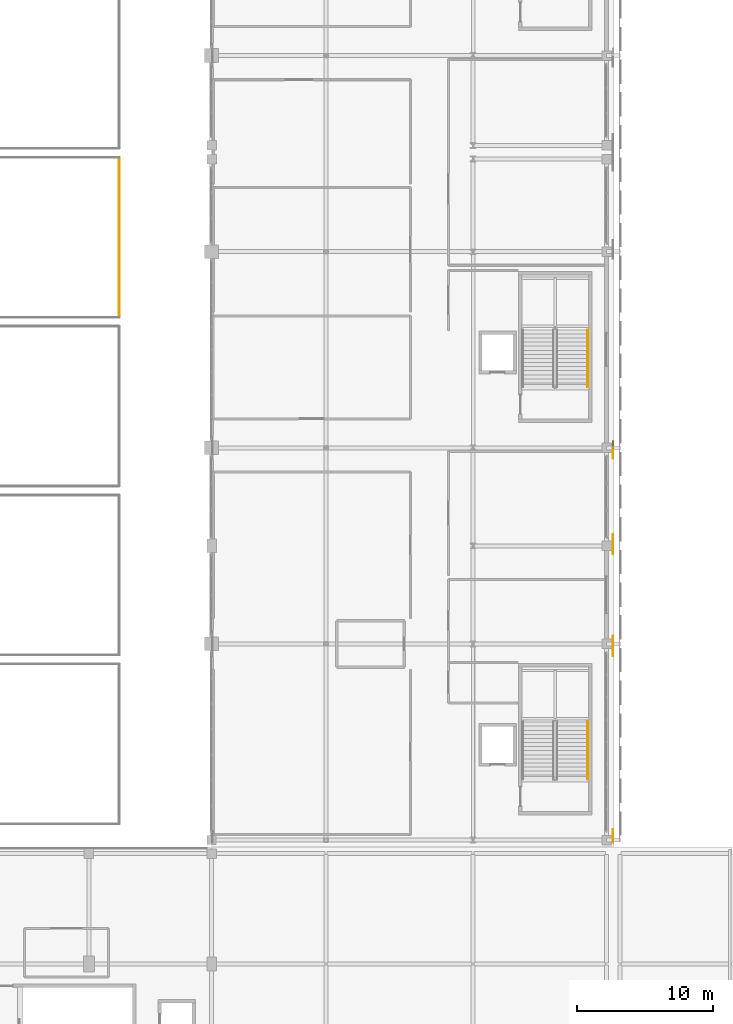
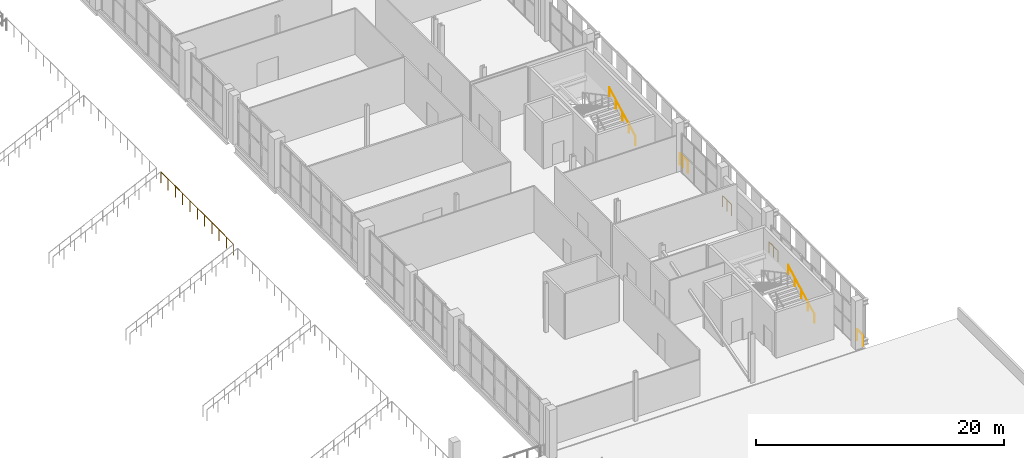
# One storey, part 97 of 104: 8 railings.
"""IFC4 building model written with IfcOpenShell, lengths in metres."""

from ifc_helpers import new_model, si_unit, direction, frame, origin, origin_2d, place, context, subcontext, project, spatial, circle, extrude, material, type_object, element, save


model = new_model("IFC4")

# Units and contexts
model_context = context("Model", 3, precision=1e-05, world=origin(), true_north=direction((0.0, 1.0)))
body_context = subcontext(model_context, "Body", "Model", "MODEL_VIEW")
ifc_project = project(units=[si_unit("LENGTHUNIT", "METRE"), si_unit("AREAUNIT", "SQUARE_METRE"), si_unit("VOLUMEUNIT", "CUBIC_METRE"), si_unit("PLANEANGLEUNIT", "RADIAN"), si_unit("MASSUNIT", "GRAM", prefix="KILO")], contexts=[model_context])

# Site, building, storey
site_placement = place(None, origin())
site = spatial("IfcSite", under=ifc_project, at=site_placement, CompositionType="ELEMENT")
building_placement = place(site_placement, origin())
building = spatial("IfcBuilding", under=site, at=building_placement, Name="Koshinbarg Plaza Stadium", CompositionType="ELEMENT")
storey_placement = place(building_placement, frame((0.0, 0.0, 19.800048828125)))
storey = spatial("IfcBuildingStorey", under=building, at=storey_placement, Name="L04", CompositionType="ELEMENT", Elevation=19.800048828125)

# Railings
ifc_material_1 = material(Name="Toughened laminated glass and stainless steel sightline balustrade", Category="steel")
railing_type_1 = type_object("IfcRailingType", Name="RL-BOWL-1100", PredefinedType="BALUSTRADE", material=ifc_material_1)
railing_1_placement = place(storey_placement, frame((218.875, 54.300048828125, 0.0)))
element("IfcRailing", 1, at=railing_1_placement, inside=storey, type_object=railing_type_1, Name="L04 deck edge safety balustrade 0307", PredefinedType="BALUSTRADE", context=body_context, shape_type="SweptSolid", body=[
    extrude(circle(Radius=0.02392578125, at=origin_2d()), frame((0.0, 0.0, 1.076171875), z_axis=(0.0, -1.0, 0.0), x_axis=(1.0, 0.0, 0.0)), (0.0, 0.0, 1.0), 0.797119140625),
    extrude(circle(Radius=0.02099609375, at=origin_2d()), origin(), (0.0, 0.0, 1.0), 1.052001953125),
    extrude(circle(Radius=0.02099609375, at=origin_2d()), frame((0.0, -0.797119140625, 0.0)), (0.0, 0.0, 1.0), 1.052001953125),
])
for number, where, name in (
    (2, (218.875, 47.9326171875, 0.0), "L04 deck edge safety balustrade 0308"),
    (3, (218.875, 40.469482421875, 0.0), "L04 deck edge safety balustrade 0309"),
):
    element("IfcRailing", number, at=place(storey_placement, frame(where)), inside=storey, type_object=railing_type_1, Name=name, PredefinedType="BALUSTRADE", context=body_context, shape_type="SweptSolid", body=[
        extrude(circle(Radius=0.02392578125, at=origin_2d()), frame((0.0, 0.0, 1.076171875), z_axis=(0.0, -1.0, 0.0), x_axis=(1.0, 0.0, 0.0)), (0.0, 0.0, 1.0), 1.44482421875),
        extrude(circle(Radius=0.02099609375, at=origin_2d()), origin(), (0.0, 0.0, 1.0), 1.052001953125),
        extrude(circle(Radius=0.02099609375, at=origin_2d()), frame((0.0, -0.722412109375, 0.0)), (0.0, 0.0, 1.0), 1.052001953125),
        extrude(circle(Radius=0.02099609375, at=origin_2d()), frame((0.0, -1.44482421875, 0.0)), (0.0, 0.0, 1.0), 1.052001953125),
    ])
railing_2_placement = place(storey_placement, frame((218.875, 26.289794921875, 0.0)))
element("IfcRailing", 4, at=railing_2_placement, inside=storey, type_object=railing_type_1, Name="L04 deck edge safety balustrade 0310", PredefinedType="BALUSTRADE", context=body_context, shape_type="SweptSolid", body=[
    extrude(circle(Radius=0.02392578125, at=origin_2d()), frame((0.0, 0.0, 1.076171875), z_axis=(0.0, -1.0, 0.0), x_axis=(1.0, 0.0, 0.0)), (0.0, 0.0, 1.0), 0.974853515625),
    extrude(circle(Radius=0.02099609375, at=origin_2d()), origin(), (0.0, 0.0, 1.0), 1.052001953125),
    extrude(circle(Radius=0.02099609375, at=origin_2d()), frame((0.0, -0.974853515625, 0.0)), (0.0, 0.0, 1.0), 1.052001953125),
])
railing_3_placement = place(storey_placement, frame((218.875, 54.800048828125, 0.0)))
element("IfcRailing", 5, at=railing_3_placement, inside=storey, type_object=railing_type_1, Name="L04 deck edge safety balustrade 0316", PredefinedType="BALUSTRADE", context=body_context, shape_type="SweptSolid", body=[
    extrude(circle(Radius=0.02392578125, at=origin_2d()), frame((0.0, 0.0, 1.076171875), z_axis=(0.0, -1.0, 0.0), x_axis=(1.0, 0.0, 0.0)), (0.0, 0.0, 1.0), 0.5),
    extrude(circle(Radius=0.02099609375, at=origin_2d()), origin(), (0.0, 0.0, 1.0), 1.052001953125),
    extrude(circle(Radius=0.02099609375, at=origin_2d()), frame((0.0, -0.5, 0.0)), (0.0, 0.0, 1.0), 1.052001953125),
])
ifc_material_2 = material(Name="Galvanized painted steel guardrail", Category="steel")
railing_type_2 = type_object("IfcRailingType", Name="RL-GUARD-1100", PredefinedType="GUARDRAIL", material=ifc_material_2)
railing_4_placement = place(storey_placement, frame((182.6201171875, 63.8798828125, -1.739990234375)))
element("IfcRailing", 6, at=railing_4_placement, inside=storey, type_object=railing_type_2, Name="UT-E04 rear stand guard", PredefinedType="GUARDRAIL", context=body_context, shape_type="SweptSolid", body=[
    extrude(circle(Radius=0.02392578125, at=origin_2d()), frame((0.0, 0.0, 1.076171875), z_axis=(0.0, 1.0, 0.0), x_axis=(-1.0, 0.0, 0.0)), (0.0, 0.0, 1.0), 11.740234375),
    extrude(circle(Radius=0.02099609375, at=origin_2d()), origin(), (0.0, 0.0, 1.0), 1.052001953125),
    extrude(circle(Radius=0.02099609375, at=origin_2d()), frame((0.0, 1.174072265625, 0.0)), (0.0, 0.0, 1.0), 1.052001953125),
    extrude(circle(Radius=0.02099609375, at=origin_2d()), frame((0.0, 2.34814453125, 0.0)), (0.0, 0.0, 1.0), 1.052001953125),
    extrude(circle(Radius=0.02099609375, at=origin_2d()), frame((0.0, 3.52197265625, 0.0)), (0.0, 0.0, 1.0), 1.052001953125),
    extrude(circle(Radius=0.02099609375, at=origin_2d()), frame((0.0, 4.696044921875, 0.0)), (0.0, 0.0, 1.0), 1.052001953125),
    extrude(circle(Radius=0.02099609375, at=origin_2d()), frame((0.0, 5.8701171875, 0.0)), (0.0, 0.0, 1.0), 1.052001953125),
    extrude(circle(Radius=0.02099609375, at=origin_2d()), frame((0.0, 7.044189453125, 0.0)), (0.0, 0.0, 1.0), 1.052001953125),
    extrude(circle(Radius=0.02099609375, at=origin_2d()), frame((0.0, 8.21826171875, 0.0)), (0.0, 0.0, 1.0), 1.052001953125),
    extrude(circle(Radius=0.02099609375, at=origin_2d()), frame((0.0, 9.39208984375, 0.0)), (0.0, 0.0, 1.0), 1.052001953125),
    extrude(circle(Radius=0.02099609375, at=origin_2d()), frame((0.0, 10.566162109375, 0.0)), (0.0, 0.0, 1.0), 1.052001953125),
    extrude(circle(Radius=0.02099609375, at=origin_2d()), frame((0.0, 11.740234375, 0.0)), (0.0, 0.0, 1.0), 1.052001953125),
])
ifc_material_3 = material(Name="Brushed stainless steel handrail", Category="steel")
railing_type_3 = type_object("IfcRailingType", Name="RL-HAND-900", PredefinedType="HANDRAIL", material=ifc_material_3)
for number, where, name in (
    (7, (217.02001953125, 29.9599609375, 0.159912109375), "L04 C07 stair handrail 1"),
    (8, (217.02001953125, 58.760009765625, 0.159912109375), "L04 C08 stair handrail 1"),
):
    element("IfcRailing", number, at=place(storey_placement, frame(where)), inside=storey, type_object=railing_type_3, Name=name, PredefinedType="HANDRAIL", context=body_context, shape_type="SweptSolid", body=[
        extrude(circle(Radius=0.02392578125, at=origin_2d()), frame((0.0, 0.0, 0.8759765625), z_axis=(0.0, 0.882351521365, 0.470590897432), x_axis=(-1.0, 0.0, 0.0)), (0.0, 0.0, 1.0), 4.760009765625),
        extrude(circle(Radius=0.02099609375, at=origin_2d()), origin(), (0.0, 0.0, 1.0), 0.851806640625),
        extrude(circle(Radius=0.02099609375, at=origin_2d()), frame((0.0, 1.050048828125, 0.56005859375)), (0.0, 0.0, 1.0), 0.851806640625),
        extrude(circle(Radius=0.02099609375, at=origin_2d()), frame((0.0, 2.10009765625, 1.1201171875)), (0.0, 0.0, 1.0), 0.851806640625),
        extrude(circle(Radius=0.02099609375, at=origin_2d()), frame((0.0, 3.14990234375, 1.679931640625)), (0.0, 0.0, 1.0), 0.851806640625),
        extrude(circle(Radius=0.02099609375, at=origin_2d()), frame((0.0, 4.199951171875, 2.239990234375)), (0.0, 0.0, 1.0), 0.851806640625),
    ])

save(model, "model.ifc")
